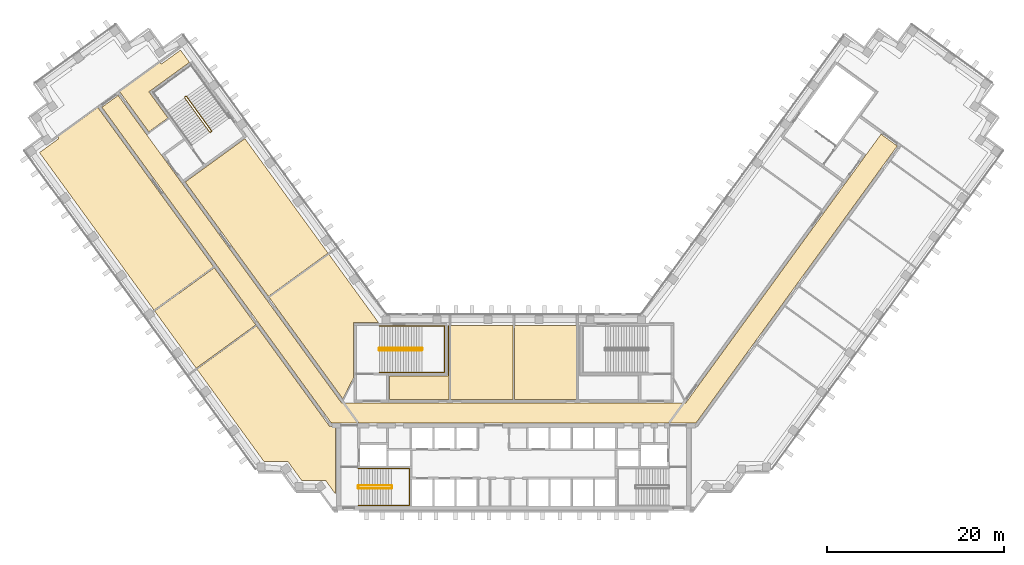
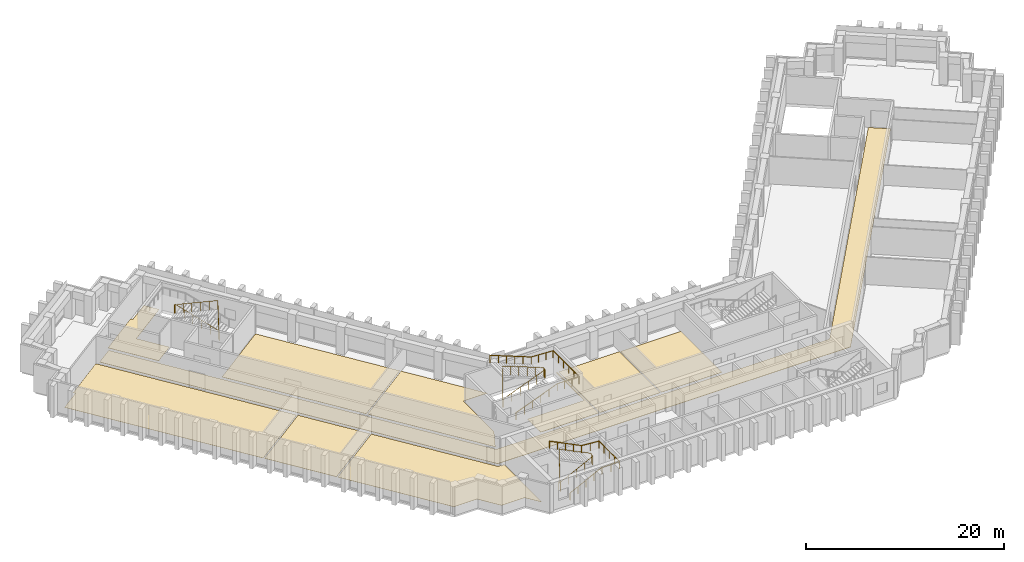
# One storey, part 10 of 12: 10 coverings, 5 railings.
"""IFC4 building model written with IfcOpenShell, lengths in metres."""

from ifc_helpers import new_model, si_unit, direction, frame, origin, origin_2d, place, context, subcontext, project, spatial, polyline, circle, outline, extrude, material, layer, layer_set, type_object, element, save


model = new_model("IFC4")

# Units and contexts
model_context = context("Model", 3, precision=1e-05, world=origin(), true_north=direction((0.0, 1.0)))
body_context = subcontext(model_context, "Body", "Model", "MODEL_VIEW")
ifc_project = project(units=[si_unit("LENGTHUNIT", "METRE"), si_unit("AREAUNIT", "SQUARE_METRE"), si_unit("VOLUMEUNIT", "CUBIC_METRE"), si_unit("PLANEANGLEUNIT", "RADIAN"), si_unit("MASSUNIT", "GRAM", prefix="KILO")], contexts=[model_context])

# Site, building, storey
site_placement = place(None, origin())
site = spatial("IfcSite", under=ifc_project, at=site_placement, CompositionType="ELEMENT")
building_placement = place(site_placement, origin())
building = spatial("IfcBuilding", under=site, at=building_placement, Name="Quipu Civic Tower", CompositionType="ELEMENT")
storey_placement = place(building_placement, frame((0.0, 0.0, 75.0)))
storey = spatial("IfcBuildingStorey", under=building, at=storey_placement, Name="L17", CompositionType="ELEMENT", Elevation=75.0)

# Coverings
ifc_material_1 = material(Name="Carpet tile on raised access floor")
ifc_layer_1 = layer(ifc_material_1, 0.02001953125)
ifc_layer_set_1 = layer_set([ifc_layer_1], Name="Carpet tile on raised access floor")
covering_type_1 = type_object("IfcCoveringType", Name="Carpet tile floor finish 20", PredefinedType="FLOORING", material=ifc_layer_set_1)
covering_1_placement = place(storey_placement, origin())
element("IfcCovering", 1, at=covering_1_placement, inside=storey, type_object=covering_type_1, Name="Carpet tile floor finish 20", PredefinedType="FLOORING", context=body_context, shape_type="SweptSolid", body=[
    extrude(outline(polyline([(0.070068359375, 9.830078125), (7.1279296875, 9.830078125), (7.1279296875, 1.52001953125), (0.070068359375, 1.52001953125), (0.070068359375, 9.830078125)])), origin(), (0.0, 0.0, 1.0), 0.02001953125),
])
covering_2_placement = place(storey_placement, origin())
element("IfcCovering", 2, at=covering_2_placement, inside=storey, type_object=covering_type_1, Name="Carpet tile floor finish 20", PredefinedType="FLOORING", context=body_context, shape_type="SweptSolid", body=[
    extrude(outline(polyline([(-44.445068359375, 36.23193359375), (-39.906005859375, 39.530029296875), (-39.757080078125, 39.327880859375), (-37.573974609375, 40.9130859375), (-36.570068359375, 39.530029296875), (-41.139892578125, 36.208984375), (-38.998046875, 33.260009765625), (-41.15087890625, 31.697021484375), (-44.445068359375, 36.23193359375)])), origin(), (0.0, 0.0, 1.0), 0.02001953125),
])
covering_3_placement = place(storey_placement, origin())
element("IfcCovering", 3, at=covering_3_placement, inside=storey, type_object=covering_type_1, Name="Carpet tile floor finish 20", PredefinedType="FLOORING", context=body_context, shape_type="SweptSolid", body=[
    extrude(outline(polyline([(-27.577880859375, 13.01708984375), (-20.85498046875, 17.90087890625), (-15.238037109375, 10.169921875), (-18.070068359375, 10.1689453125), (-18.070068359375, 3.94189453125), (-19.27197265625, 1.583984375), (-27.577880859375, 13.01708984375)])), origin(), (0.0, 0.0, 1.0), 0.02001953125),
])
covering_4_placement = place(storey_placement, origin())
element("IfcCovering", 4, at=covering_4_placement, inside=storey, type_object=covering_type_1, Name="Carpet tile floor finish 20", PredefinedType="FLOORING", context=body_context, shape_type="SweptSolid", body=[
    extrude(outline(polyline([(-35.72607421875, 4.922119140625), (-29.0029296875, 9.805908203125), (-20.77490234375, -1.51904296875), (-20.070068359375, -1.52001953125), (-20.070068359375, -9.195068359375), (-21.196044921875, -7.64599609375), (-21.6630859375, -7.64599609375), (-21.666015625, -7.64404296875), (-21.669921875, -7.64111328125), (-21.675048828125, -7.639892578125), (-21.679931640625, -7.637939453125), (-21.68408203125, -7.636962890625), (-21.68896484375, -7.636962890625), (-21.694091796875, -7.635986328125), (-21.698974609375, -7.636962890625), (-21.7041015625, -7.637939453125), (-21.708984375, -7.638916015625), (-21.712890625, -7.64111328125), (-21.718017578125, -7.64306640625), (-21.721923828125, -7.64599609375), (-21.721923828125, -7.64599609375), (-23.89501953125, -7.64599609375), (-25.48193359375, -5.4619140625), (-28.181884765625, -5.4609375), (-35.72607421875, 4.922119140625)])), origin(), (0.0, 0.0, 1.0), 0.02001953125),
])
covering_5_placement = place(storey_placement, origin())
element("IfcCovering", 5, at=covering_5_placement, inside=storey, type_object=covering_type_1, Name="Carpet tile floor finish 20", PredefinedType="FLOORING", context=body_context, shape_type="SweptSolid", body=[
    extrude(outline(polyline([(-37.0380859375, 26.0380859375), (-30.31494140625, 30.922119140625), (-20.93798828125, 18.013916015625), (-27.660888671875, 13.1298828125), (-37.0380859375, 26.0380859375)])), origin(), (0.0, 0.0, 1.0), 0.02001953125),
])
covering_6_placement = place(storey_placement, origin())
element("IfcCovering", 6, at=covering_6_placement, inside=storey, type_object=covering_type_1, Name="Carpet tile floor finish 20", PredefinedType="FLOORING", context=body_context, shape_type="SweptSolid", body=[
    extrude(outline(polyline([(-53.47998046875, 29.35791015625), (-51.298095703125, 30.943115234375), (-51.443115234375, 31.14599609375), (-46.904052734375, 34.444091796875), (-33.846923828125, 16.471923828125), (-40.570068359375, 11.587890625), (-53.47998046875, 29.35791015625)])), origin(), (0.0, 0.0, 1.0), 0.02001953125),
])
covering_7_placement = place(storey_placement, origin())
element("IfcCovering", 7, at=covering_7_placement, inside=storey, type_object=covering_type_1, Name="Carpet tile floor finish 20", PredefinedType="FLOORING", context=body_context, shape_type="SweptSolid", body=[
    extrude(outline(polyline([(-7.1279296875, 9.830078125), (-0.070068359375, 9.830078125), (-0.070068359375, 1.52001953125), (-7.1279296875, 1.52001953125), (-7.1279296875, 9.830078125)])), origin(), (0.0, 0.0, 1.0), 0.02001953125),
])
ifc_material_2 = material(Name="Ceramic floor tile")
ifc_layer_2 = layer(ifc_material_2, 0.030029296875)
ifc_layer_set_2 = layer_set([ifc_layer_2], Name="Ceramic floor tile")
covering_type_2 = type_object("IfcCoveringType", Name="Ceramic tile floor finish 30", PredefinedType="FLOORING", material=ifc_layer_set_2)
covering_8_placement = place(storey_placement, origin())
element("IfcCovering", 8, at=covering_8_placement, inside=storey, type_object=covering_type_2, Name="Ceramic tile floor finish 30", PredefinedType="FLOORING", context=body_context, shape_type="SweptSolid", body=[
    extrude(outline(polyline([(-40.487060546875, 11.47509765625), (-33.763916015625, 16.35888671875), (-29.0859375, 9.9189453125), (-35.80908203125, 5.034912109375), (-40.487060546875, 11.47509765625)])), origin(), (0.0, 0.0, 1.0), 0.030029296875),
])
covering_9_placement = place(storey_placement, origin())
element("IfcCovering", 9, at=covering_9_placement, inside=storey, type_object=covering_type_2, Name="Ceramic tile floor finish 30", PredefinedType="FLOORING", context=body_context, shape_type="SweptSolid", body=[
    extrude(outline(polyline([(-14.030029296875, 1.52001953125), (-14.030029296875, 4.179931640625), (-7.429931640625, 4.180908203125), (-7.429931640625, 9.830078125), (-7.26806640625, 9.830078125), (-7.26806640625, 1.52001953125), (-14.030029296875, 1.52001953125)])), origin(), (0.0, 0.0, 1.0), 0.030029296875),
])

# Railings
ifc_material_3 = material(Name="Stainless steel", Category="steel")
railing_type_1 = type_object("IfcRailingType", Name="Stair guard 1100", PredefinedType="GUARDRAIL", material=ifc_material_3)
railing_1_placement = place(storey_placement, frame((-17.5, -8.550048828125, 0.15380859375)))
element("IfcRailing", 10, at=railing_1_placement, inside=storey, type_object=railing_type_1, Name="Stair 1 guard", PredefinedType="GUARDRAIL", context=body_context, shape_type="SweptSolid", body=[
    extrude(circle(Radius=0.02392578125, at=origin_2d()), frame((0.0, 0.0, 1.076171875), z_axis=(0.895751851347, 0.0, 0.444554407028), x_axis=(0.0, 1.0, 0.0)), (0.0, 0.0, 1.0), 4.15283203125),
    extrude(circle(Radius=0.02392578125, at=origin_2d()), frame((3.719970703125, 0.0, 2.92236328125), z_axis=(0.707106781187, 0.707106781187, 0.0), x_axis=(-0.707106781187, 0.707106781187, 0.0)), (0.0, 0.0, 1.0), 0.07080078125),
    extrude(circle(Radius=0.02392578125, at=origin_2d()), frame((3.77001953125, 0.050048828125, 2.92236328125), z_axis=(0.0, 1.0, 0.0), x_axis=(-1.0, 0.0, 0.0)), (0.0, 0.0, 1.0), 0.25),
    extrude(circle(Radius=0.02392578125, at=origin_2d()), frame((3.77001953125, 0.300048828125, 2.92236328125), z_axis=(-0.295599637079, 0.295599637079, 0.908428152975), x_axis=(-0.707106781187, -0.707106781187, 0.0)), (0.0, 0.0, 1.0), 0.16943359375),
    extrude(circle(Radius=0.02392578125, at=origin_2d()), frame((3.719970703125, 0.35009765625, 3.076171875), z_axis=(-0.895751851347, 0.0, 0.444554407028), x_axis=(0.0, -1.0, 0.0)), (0.0, 0.0, 1.0), 4.15283203125),
    extrude(circle(Radius=0.02392578125, at=origin_2d()), frame((0.0, 0.35009765625, 4.92236328125), z_axis=(-0.012476181752, -0.074796231092, -0.997120789425), x_axis=(0.986372223864, -0.164529134168, 0.0)), (0.0, 0.0, 1.0), 4.011474609375),
    extrude(circle(Radius=0.02392578125, at=origin_2d()), frame((-0.050048828125, 0.050048828125, 0.92236328125), z_axis=(0.0, 1.0, 0.0), x_axis=(-1.0, 0.0, 0.0)), (0.0, 0.0, 1.0), 0.25),
    extrude(circle(Radius=0.02099609375, at=origin_2d()), origin(), (0.0, 0.0, 1.0), 1.052001953125),
    extrude(circle(Radius=0.02099609375, at=origin_2d()), frame((0.929931640625, 0.0, 0.46142578125)), (0.0, 0.0, 1.0), 1.052001953125),
    extrude(circle(Radius=0.02099609375, at=origin_2d()), frame((1.85986328125, 0.0, 0.923095703125)), (0.0, 0.0, 1.0), 1.052001953125),
    extrude(circle(Radius=0.02099609375, at=origin_2d()), frame((2.7900390625, 0.0, 1.384765625)), (0.0, 0.0, 1.0), 1.052001953125),
    extrude(circle(Radius=0.02099609375, at=origin_2d()), frame((3.719970703125, 0.0, 1.84619140625)), (0.0, 0.0, 1.0), 1.052001953125),
    extrude(circle(Radius=0.02099609375, at=origin_2d()), frame((3.77001953125, 0.050048828125, 1.84619140625)), (0.0, 0.0, 1.0), 1.052001953125),
    extrude(circle(Radius=0.02099609375, at=origin_2d()), frame((3.77001953125, 0.300048828125, 1.84619140625)), (0.0, 0.0, 1.0), 1.052001953125),
    extrude(circle(Radius=0.02099609375, at=origin_2d()), frame((3.719970703125, 0.35009765625, 2.0)), (0.0, 0.0, 1.0), 1.052001953125),
    extrude(circle(Radius=0.02099609375, at=origin_2d()), frame((2.7900390625, 0.35009765625, 2.46142578125)), (0.0, 0.0, 1.0), 1.052001953125),
    extrude(circle(Radius=0.02099609375, at=origin_2d()), frame((1.85986328125, 0.35009765625, 2.923095703125)), (0.0, 0.0, 1.0), 1.052001953125),
    extrude(circle(Radius=0.02099609375, at=origin_2d()), frame((0.929931640625, 0.35009765625, 3.384765625)), (0.0, 0.0, 1.0), 1.052001953125),
    extrude(circle(Radius=0.02099609375, at=origin_2d()), frame((0.0, 0.35009765625, 3.84619140625)), (0.0, 0.0, 1.0), 1.052001953125),
    extrude(circle(Radius=0.02099609375, at=origin_2d()), frame((-0.012451171875, 0.275146484375, 2.84619140625)), (0.0, 0.0, 1.0), 1.052001953125),
    extrude(circle(Radius=0.02099609375, at=origin_2d()), frame((-0.02490234375, 0.2001953125, 1.84619140625)), (0.0, 0.0, 1.0), 1.052001953125),
    extrude(circle(Radius=0.02099609375, at=origin_2d()), frame((-0.03759765625, 0.125, 0.84619140625)), (0.0, 0.0, 1.0), 1.052001953125),
    extrude(circle(Radius=0.02099609375, at=origin_2d()), frame((-0.050048828125, 0.050048828125, -0.15380859375)), (0.0, 0.0, 1.0), 1.052001953125),
    extrude(circle(Radius=0.02099609375, at=origin_2d()), frame((-0.050048828125, 0.300048828125, -0.15380859375)), (0.0, 0.0, 1.0), 1.052001953125),
])
railing_2_placement = place(storey_placement, frame((-15.14990234375, 7.050048828125, 0.11767578125)))
element("IfcRailing", 11, at=railing_2_placement, inside=storey, type_object=railing_type_1, Name="Stair 3 guard", PredefinedType="GUARDRAIL", context=body_context, shape_type="SweptSolid", body=[
    extrude(circle(Radius=0.02392578125, at=origin_2d()), frame((0.0, 0.0, 1.076171875), z_axis=(0.930970042603, 0.0, 0.365095576219), x_axis=(0.0, 1.0, 0.0)), (0.0, 0.0, 1.0), 5.15576171875),
    extrude(circle(Radius=0.02392578125, at=origin_2d()), frame((4.7998046875, 0.0, 2.95849609375), z_axis=(0.707106781187, 0.707106781187, 0.0), x_axis=(-0.707106781187, 0.707106781187, 0.0)), (0.0, 0.0, 1.0), 0.07080078125),
    extrude(circle(Radius=0.02392578125, at=origin_2d()), frame((4.849853515625, 0.050048828125, 2.95849609375), z_axis=(0.0, 1.0, 0.0), x_axis=(-1.0, 0.0, 0.0)), (0.0, 0.0, 1.0), 0.14990234375),
    extrude(circle(Radius=0.02392578125, at=origin_2d()), frame((4.849853515625, 0.199951171875, 2.95849609375), z_axis=(-0.364463019033, 0.364463019033, 0.856932561824), x_axis=(-0.707106781187, -0.707106781187, 0.0)), (0.0, 0.0, 1.0), 0.13720703125),
    extrude(circle(Radius=0.02392578125, at=origin_2d()), frame((4.7998046875, 0.25, 3.076171875), z_axis=(-0.930970042603, 0.0, 0.365095576219), x_axis=(0.0, -1.0, 0.0)), (0.0, 0.0, 1.0), 5.15576171875),
    extrude(circle(Radius=0.02392578125, at=origin_2d()), frame((0.0, 0.25, 4.95849609375), z_axis=(-0.012495627992, -0.049921557685, -0.998674970829), x_axis=(0.970072785993, -0.242814311512, 0.0)), (0.0, 0.0, 1.0), 4.00537109375),
    extrude(circle(Radius=0.02392578125, at=origin_2d()), frame((-0.050048828125, 0.050048828125, 0.95849609375), z_axis=(0.0, 1.0, 0.0), x_axis=(-1.0, 0.0, 0.0)), (0.0, 0.0, 1.0), 0.14990234375),
    extrude(circle(Radius=0.02099609375, at=origin_2d()), origin(), (0.0, 0.0, 1.0), 1.052001953125),
    extrude(circle(Radius=0.02099609375, at=origin_2d()), frame((0.9599609375, 0.0, 0.37646484375)), (0.0, 0.0, 1.0), 1.052001953125),
    extrude(circle(Radius=0.02099609375, at=origin_2d()), frame((1.919921875, 0.0, 0.7529296875)), (0.0, 0.0, 1.0), 1.052001953125),
    extrude(circle(Radius=0.02099609375, at=origin_2d()), frame((2.8798828125, 0.0, 1.12939453125)), (0.0, 0.0, 1.0), 1.052001953125),
    extrude(circle(Radius=0.02099609375, at=origin_2d()), frame((3.83984375, 0.0, 1.505859375)), (0.0, 0.0, 1.0), 1.052001953125),
    extrude(circle(Radius=0.02099609375, at=origin_2d()), frame((4.7998046875, 0.0, 1.88232421875)), (0.0, 0.0, 1.0), 1.052001953125),
    extrude(circle(Radius=0.02099609375, at=origin_2d()), frame((4.849853515625, 0.050048828125, 1.88232421875)), (0.0, 0.0, 1.0), 1.052001953125),
    extrude(circle(Radius=0.02099609375, at=origin_2d()), frame((4.849853515625, 0.199951171875, 1.88232421875)), (0.0, 0.0, 1.0), 1.052001953125),
    extrude(circle(Radius=0.02099609375, at=origin_2d()), frame((4.7998046875, 0.25, 2.0)), (0.0, 0.0, 1.0), 1.052001953125),
    extrude(circle(Radius=0.02099609375, at=origin_2d()), frame((3.83984375, 0.25, 2.37646484375)), (0.0, 0.0, 1.0), 1.052001953125),
    extrude(circle(Radius=0.02099609375, at=origin_2d()), frame((2.8798828125, 0.25, 2.7529296875)), (0.0, 0.0, 1.0), 1.052001953125),
    extrude(circle(Radius=0.02099609375, at=origin_2d()), frame((1.919921875, 0.25, 3.12939453125)), (0.0, 0.0, 1.0), 1.052001953125),
    extrude(circle(Radius=0.02099609375, at=origin_2d()), frame((0.9599609375, 0.25, 3.505859375)), (0.0, 0.0, 1.0), 1.052001953125),
    extrude(circle(Radius=0.02099609375, at=origin_2d()), frame((0.0, 0.25, 3.88232421875)), (0.0, 0.0, 1.0), 1.052001953125),
    extrude(circle(Radius=0.02099609375, at=origin_2d()), frame((-0.012451171875, 0.199951171875, 2.88232421875)), (0.0, 0.0, 1.0), 1.052001953125),
    extrude(circle(Radius=0.02099609375, at=origin_2d()), frame((-0.02490234375, 0.14990234375, 1.88232421875)), (0.0, 0.0, 1.0), 1.052001953125),
    extrude(circle(Radius=0.02099609375, at=origin_2d()), frame((-0.03759765625, 0.10009765625, 0.88232421875)), (0.0, 0.0, 1.0), 1.052001953125),
    extrude(circle(Radius=0.02099609375, at=origin_2d()), frame((-0.050048828125, 0.050048828125, -0.11767578125)), (0.0, 0.0, 1.0), 1.052001953125),
    extrude(circle(Radius=0.02099609375, at=origin_2d()), frame((-0.050048828125, 0.199951171875, -0.11767578125)), (0.0, 0.0, 1.0), 1.052001953125),
])
railing_3_placement = place(storey_placement, frame((-34.078857421875, 31.79736328125, 0.11767578125)))
element("IfcRailing", 12, at=railing_3_placement, inside=storey, type_object=railing_type_1, Name="Stair 6 guard", PredefinedType="GUARDRAIL", context=body_context, shape_type="SweptSolid", body=[
    extrude(circle(Radius=0.02392578125, at=origin_2d()), frame((0.0, 0.0, 1.076171875), z_axis=(-0.54720100349, 0.753182689643, 0.365084781664), x_axis=(-0.809026317077, -0.587772420479, 0.0)), (0.0, 0.0, 1.0), 5.15576171875),
    extrude(circle(Radius=0.02392578125, at=origin_2d()), frame((-2.8212890625, 3.88330078125, 2.95849609375), z_axis=(-0.987846838465, 0.155430446612, 0.0), x_axis=(-0.155430446612, -0.987846838465, 0.0)), (0.0, 0.0, 1.0), 0.07080078125),
    extrude(circle(Radius=0.02392578125, at=origin_2d()), frame((-2.89111328125, 3.894287109375, 2.95849609375), z_axis=(-0.809649071907, -0.586914287065, 0.0), x_axis=(0.586914287065, -0.809649071907, 0.0)), (0.0, 0.0, 1.0), 0.150146484375),
    extrude(circle(Radius=0.02392578125, at=origin_2d()), frame((-3.0126953125, 3.80615234375, 2.95849609375), z_axis=(-0.080033047627, -0.508654480474, 0.857242865693), x_axis=(0.987846838465, -0.155430446612, 0.0)), (0.0, 0.0, 1.0), 0.13720703125),
    extrude(circle(Radius=0.02392578125, at=origin_2d()), frame((-3.023681640625, 3.736328125, 3.076171875), z_axis=(0.54720100349, -0.753182689643, 0.365084781664), x_axis=(0.809026317077, 0.587772420479, 0.0)), (0.0, 0.0, 1.0), 5.15576171875),
    extrude(circle(Radius=0.02392578125, at=origin_2d()), frame((-0.202392578125, -0.14697265625, 4.95849609375), z_axis=(0.047788004556, 0.019261491632, -0.998671768681), x_axis=(-0.373837031195, 0.92749440651, 0.0)), (0.0, 0.0, 1.0), 4.00537109375),
    extrude(circle(Radius=0.02392578125, at=origin_2d()), frame((-0.010986328125, -0.06982421875, 0.95849609375), z_axis=(-0.809087927272, -0.587687609145, 0.0), x_axis=(0.587687609145, -0.809087927272, 0.0)), (0.0, 0.0, 1.0), 0.14990234375),
    extrude(circle(Radius=0.02099609375, at=origin_2d()), origin(), (0.0, 0.0, 1.0), 1.052001953125),
    extrude(circle(Radius=0.02099609375, at=origin_2d()), frame((-0.564208984375, 0.776611328125, 0.37646484375)), (0.0, 0.0, 1.0), 1.052001953125),
    extrude(circle(Radius=0.02099609375, at=origin_2d()), frame((-1.12841796875, 1.55322265625, 0.7529296875)), (0.0, 0.0, 1.0), 1.052001953125),
    extrude(circle(Radius=0.02099609375, at=origin_2d()), frame((-1.69287109375, 2.330078125, 1.12939453125)), (0.0, 0.0, 1.0), 1.052001953125),
    extrude(circle(Radius=0.02099609375, at=origin_2d()), frame((-2.257080078125, 3.106689453125, 1.505859375)), (0.0, 0.0, 1.0), 1.052001953125),
    extrude(circle(Radius=0.02099609375, at=origin_2d()), frame((-2.8212890625, 3.88330078125, 1.88232421875)), (0.0, 0.0, 1.0), 1.052001953125),
    extrude(circle(Radius=0.02099609375, at=origin_2d()), frame((-2.89111328125, 3.894287109375, 1.88232421875)), (0.0, 0.0, 1.0), 1.052001953125),
    extrude(circle(Radius=0.02099609375, at=origin_2d()), frame((-3.0126953125, 3.80615234375, 1.88232421875)), (0.0, 0.0, 1.0), 1.052001953125),
    extrude(circle(Radius=0.02099609375, at=origin_2d()), frame((-3.023681640625, 3.736328125, 2.0)), (0.0, 0.0, 1.0), 1.052001953125),
    extrude(circle(Radius=0.02099609375, at=origin_2d()), frame((-2.45947265625, 2.959716796875, 2.37646484375)), (0.0, 0.0, 1.0), 1.052001953125),
    extrude(circle(Radius=0.02099609375, at=origin_2d()), frame((-1.895263671875, 2.18310546875, 2.7529296875)), (0.0, 0.0, 1.0), 1.052001953125),
    extrude(circle(Radius=0.02099609375, at=origin_2d()), frame((-1.330810546875, 1.40625, 3.12939453125)), (0.0, 0.0, 1.0), 1.052001953125),
    extrude(circle(Radius=0.02099609375, at=origin_2d()), frame((-0.7666015625, 0.629638671875, 3.505859375)), (0.0, 0.0, 1.0), 1.052001953125),
    extrude(circle(Radius=0.02099609375, at=origin_2d()), frame((-0.202392578125, -0.14697265625, 3.88232421875)), (0.0, 0.0, 1.0), 1.052001953125),
    extrude(circle(Radius=0.02099609375, at=origin_2d()), frame((-0.154541015625, -0.127685546875, 2.88232421875)), (0.0, 0.0, 1.0), 1.052001953125),
    extrude(circle(Radius=0.02099609375, at=origin_2d()), frame((-0.106689453125, -0.1083984375, 1.88232421875)), (0.0, 0.0, 1.0), 1.052001953125),
    extrude(circle(Radius=0.02099609375, at=origin_2d()), frame((-0.058837890625, -0.089111328125, 0.88232421875)), (0.0, 0.0, 1.0), 1.052001953125),
    extrude(circle(Radius=0.02099609375, at=origin_2d()), frame((-0.010986328125, -0.06982421875, -0.11767578125)), (0.0, 0.0, 1.0), 1.052001953125),
    extrude(circle(Radius=0.02099609375, at=origin_2d()), frame((-0.13232421875, -0.157958984375, -0.11767578125)), (0.0, 0.0, 1.0), 1.052001953125),
])
ifc_material_4 = material(Name="Stainless steel", Category="steel")
railing_type_2 = type_object("IfcRailingType", Name="Stair handrail", PredefinedType="HANDRAIL", material=ifc_material_4)
railing_4_placement = place(storey_placement, frame((-17.5, -10.449951171875, 0.15380859375)))
element("IfcRailing", 13, at=railing_4_placement, inside=storey, type_object=railing_type_2, Name="Stair 1 handrail", PredefinedType="HANDRAIL", context=body_context, shape_type="SweptSolid", body=[
    extrude(circle(Radius=0.02392578125, at=origin_2d()), frame((0.0, 0.0, 0.8759765625), z_axis=(0.895751851347, 0.0, 0.444554407028), x_axis=(0.0, 1.0, 0.0)), (0.0, 0.0, 1.0), 4.15283203125),
    extrude(circle(Radius=0.02392578125, at=origin_2d()), frame((3.719970703125, 0.0, 2.72216796875), z_axis=(1.0, 0.0, 0.0), x_axis=(0.0, 1.0, 0.0)), (0.0, 0.0, 1.0), 2.030029296875),
    extrude(circle(Radius=0.02392578125, at=origin_2d()), frame((5.75, 0.0, 2.72216796875), z_axis=(0.0, 1.0, 0.0), x_axis=(-1.0, 0.0, 0.0)), (0.0, 0.0, 1.0), 4.14990234375),
    extrude(circle(Radius=0.02392578125, at=origin_2d()), frame((5.75, 4.14990234375, 2.72216796875), z_axis=(-0.997142003663, 0.0, 0.075550145798), x_axis=(0.0, -1.0, 0.0)), (0.0, 0.0, 1.0), 2.035888671875),
    extrude(circle(Radius=0.02392578125, at=origin_2d()), frame((3.719970703125, 4.14990234375, 2.8759765625), z_axis=(-0.895751851347, 0.0, 0.444554407028), x_axis=(0.0, -1.0, 0.0)), (0.0, 0.0, 1.0), 4.15283203125),
    extrude(circle(Radius=0.02099609375, at=origin_2d()), origin(), (0.0, 0.0, 1.0), 0.851806640625),
    extrude(circle(Radius=0.02099609375, at=origin_2d()), frame((0.929931640625, 0.0, 0.46142578125)), (0.0, 0.0, 1.0), 0.851806640625),
    extrude(circle(Radius=0.02099609375, at=origin_2d()), frame((1.85986328125, 0.0, 0.923095703125)), (0.0, 0.0, 1.0), 0.851806640625),
    extrude(circle(Radius=0.02099609375, at=origin_2d()), frame((2.7900390625, 0.0, 1.384765625)), (0.0, 0.0, 1.0), 0.851806640625),
    extrude(circle(Radius=0.02099609375, at=origin_2d()), frame((3.719970703125, 0.0, 1.84619140625)), (0.0, 0.0, 1.0), 0.851806640625),
    extrude(circle(Radius=0.02099609375, at=origin_2d()), frame((4.73486328125, 0.0, 1.84619140625)), (0.0, 0.0, 1.0), 0.851806640625),
    extrude(circle(Radius=0.02099609375, at=origin_2d()), frame((5.75, 0.0, 1.84619140625)), (0.0, 0.0, 1.0), 0.851806640625),
    extrude(circle(Radius=0.02099609375, at=origin_2d()), frame((5.75, 1.03759765625, 1.84619140625)), (0.0, 0.0, 1.0), 0.851806640625),
    extrude(circle(Radius=0.02099609375, at=origin_2d()), frame((5.75, 2.074951171875, 1.84619140625)), (0.0, 0.0, 1.0), 0.851806640625),
    extrude(circle(Radius=0.02099609375, at=origin_2d()), frame((5.75, 3.1123046875, 1.84619140625)), (0.0, 0.0, 1.0), 0.851806640625),
    extrude(circle(Radius=0.02099609375, at=origin_2d()), frame((5.75, 4.14990234375, 1.84619140625)), (0.0, 0.0, 1.0), 0.851806640625),
    extrude(circle(Radius=0.02099609375, at=origin_2d()), frame((4.73486328125, 4.14990234375, 1.923095703125)), (0.0, 0.0, 1.0), 0.851806640625),
    extrude(circle(Radius=0.02099609375, at=origin_2d()), frame((3.719970703125, 4.14990234375, 2.0)), (0.0, 0.0, 1.0), 0.851806640625),
    extrude(circle(Radius=0.02099609375, at=origin_2d()), frame((2.7900390625, 4.14990234375, 2.46142578125)), (0.0, 0.0, 1.0), 0.851806640625),
    extrude(circle(Radius=0.02099609375, at=origin_2d()), frame((1.85986328125, 4.14990234375, 2.923095703125)), (0.0, 0.0, 1.0), 0.851806640625),
    extrude(circle(Radius=0.02099609375, at=origin_2d()), frame((0.929931640625, 4.14990234375, 3.384765625)), (0.0, 0.0, 1.0), 0.851806640625),
    extrude(circle(Radius=0.02099609375, at=origin_2d()), frame((0.0, 4.14990234375, 3.84619140625)), (0.0, 0.0, 1.0), 0.851806640625),
])
railing_5_placement = place(storey_placement, frame((-15.14990234375, 4.550048828125, 0.11767578125)))
element("IfcRailing", 14, at=railing_5_placement, inside=storey, type_object=railing_type_2, Name="Stair 3 handrail", PredefinedType="HANDRAIL", context=body_context, shape_type="SweptSolid", body=[
    extrude(circle(Radius=0.02392578125, at=origin_2d()), frame((0.0, 0.0, 0.8759765625), z_axis=(0.930970042603, 0.0, 0.365095576219), x_axis=(0.0, 1.0, 0.0)), (0.0, 0.0, 1.0), 5.15576171875),
    extrude(circle(Radius=0.02392578125, at=origin_2d()), frame((4.7998046875, 0.0, 2.75830078125), z_axis=(1.0, 0.0, 0.0), x_axis=(0.0, 1.0, 0.0)), (0.0, 0.0, 1.0), 2.550048828125),
    extrude(circle(Radius=0.02392578125, at=origin_2d()), frame((7.349853515625, 0.0, 2.75830078125), z_axis=(0.0, 1.0, 0.0), x_axis=(-1.0, 0.0, 0.0)), (0.0, 0.0, 1.0), 5.25),
    extrude(circle(Radius=0.02392578125, at=origin_2d()), frame((7.349853515625, 5.25, 2.75830078125), z_axis=(-0.998936948642, 0.0, 0.04609742549), x_axis=(0.0, -1.0, 0.0)), (0.0, 0.0, 1.0), 2.552734375),
    extrude(circle(Radius=0.02392578125, at=origin_2d()), frame((4.7998046875, 5.25, 2.8759765625), z_axis=(-0.930970042603, 0.0, 0.365095576219), x_axis=(0.0, -1.0, 0.0)), (0.0, 0.0, 1.0), 5.15576171875),
    extrude(circle(Radius=0.02099609375, at=origin_2d()), origin(), (0.0, 0.0, 1.0), 0.851806640625),
    extrude(circle(Radius=0.02099609375, at=origin_2d()), frame((0.9599609375, 0.0, 0.37646484375)), (0.0, 0.0, 1.0), 0.851806640625),
    extrude(circle(Radius=0.02099609375, at=origin_2d()), frame((1.919921875, 0.0, 0.7529296875)), (0.0, 0.0, 1.0), 0.851806640625),
    extrude(circle(Radius=0.02099609375, at=origin_2d()), frame((2.8798828125, 0.0, 1.12939453125)), (0.0, 0.0, 1.0), 0.851806640625),
    extrude(circle(Radius=0.02099609375, at=origin_2d()), frame((3.83984375, 0.0, 1.505859375)), (0.0, 0.0, 1.0), 0.851806640625),
    extrude(circle(Radius=0.02099609375, at=origin_2d()), frame((4.7998046875, 0.0, 1.88232421875)), (0.0, 0.0, 1.0), 0.851806640625),
    extrude(circle(Radius=0.02099609375, at=origin_2d()), frame((5.64990234375, 0.0, 1.88232421875)), (0.0, 0.0, 1.0), 0.851806640625),
    extrude(circle(Radius=0.02099609375, at=origin_2d()), frame((6.499755859375, 0.0, 1.88232421875)), (0.0, 0.0, 1.0), 0.851806640625),
    extrude(circle(Radius=0.02099609375, at=origin_2d()), frame((7.349853515625, 0.0, 1.88232421875)), (0.0, 0.0, 1.0), 0.851806640625),
    extrude(circle(Radius=0.02099609375, at=origin_2d()), frame((7.349853515625, 1.050048828125, 1.88232421875)), (0.0, 0.0, 1.0), 0.851806640625),
    extrude(circle(Radius=0.02099609375, at=origin_2d()), frame((7.349853515625, 2.10009765625, 1.88232421875)), (0.0, 0.0, 1.0), 0.851806640625),
    extrude(circle(Radius=0.02099609375, at=origin_2d()), frame((7.349853515625, 3.14990234375, 1.88232421875)), (0.0, 0.0, 1.0), 0.851806640625),
    extrude(circle(Radius=0.02099609375, at=origin_2d()), frame((7.349853515625, 4.199951171875, 1.88232421875)), (0.0, 0.0, 1.0), 0.851806640625),
    extrude(circle(Radius=0.02099609375, at=origin_2d()), frame((7.349853515625, 5.25, 1.88232421875)), (0.0, 0.0, 1.0), 0.851806640625),
    extrude(circle(Radius=0.02099609375, at=origin_2d()), frame((6.499755859375, 5.25, 1.921630859375)), (0.0, 0.0, 1.0), 0.851806640625),
    extrude(circle(Radius=0.02099609375, at=origin_2d()), frame((5.64990234375, 5.25, 1.960693359375)), (0.0, 0.0, 1.0), 0.851806640625),
    extrude(circle(Radius=0.02099609375, at=origin_2d()), frame((4.7998046875, 5.25, 2.0)), (0.0, 0.0, 1.0), 0.851806640625),
    extrude(circle(Radius=0.02099609375, at=origin_2d()), frame((3.83984375, 5.25, 2.37646484375)), (0.0, 0.0, 1.0), 0.851806640625),
    extrude(circle(Radius=0.02099609375, at=origin_2d()), frame((2.8798828125, 5.25, 2.7529296875)), (0.0, 0.0, 1.0), 0.851806640625),
    extrude(circle(Radius=0.02099609375, at=origin_2d()), frame((1.919921875, 5.25, 3.12939453125)), (0.0, 0.0, 1.0), 0.851806640625),
    extrude(circle(Radius=0.02099609375, at=origin_2d()), frame((0.9599609375, 5.25, 3.505859375)), (0.0, 0.0, 1.0), 0.851806640625),
    extrude(circle(Radius=0.02099609375, at=origin_2d()), frame((0.0, 5.25, 3.88232421875)), (0.0, 0.0, 1.0), 0.851806640625),
])

# Covering
ifc_material_5 = material(Name="Terrazzo floor finish")
ifc_layer_3 = layer(ifc_material_5, 0.0400390625)
ifc_layer_set_3 = layer_set([ifc_layer_3], Name="Terrazzo floor finish")
covering_type_3 = type_object("IfcCoveringType", Name="Terrazzo floor finish 40", PredefinedType="FLOORING", material=ifc_layer_set_3)
covering_10_placement = place(storey_placement, origin())
element("IfcCovering", 15, at=covering_10_placement, inside=storey, type_object=covering_type_3, Name="Terrazzo floor finish 40", PredefinedType="FLOORING", context=body_context, shape_type="SweptSolid", body=[
    extrude(outline(polyline([(20.574951171875, -1.1298828125), (-20.574951171875, -1.1298828125), (-46.44091796875, 34.471923828125), (-44.613037109375, 35.800048828125), (-19.425048828125, 1.1298828125), (19.425048828125, 1.1298828125), (41.43896484375, 31.430908203125), (43.26708984375, 30.10302734375), (20.574951171875, -1.1298828125)])), origin(), (0.0, 0.0, 1.0), 0.0400390625),
])

save(model, "model.ifc")
